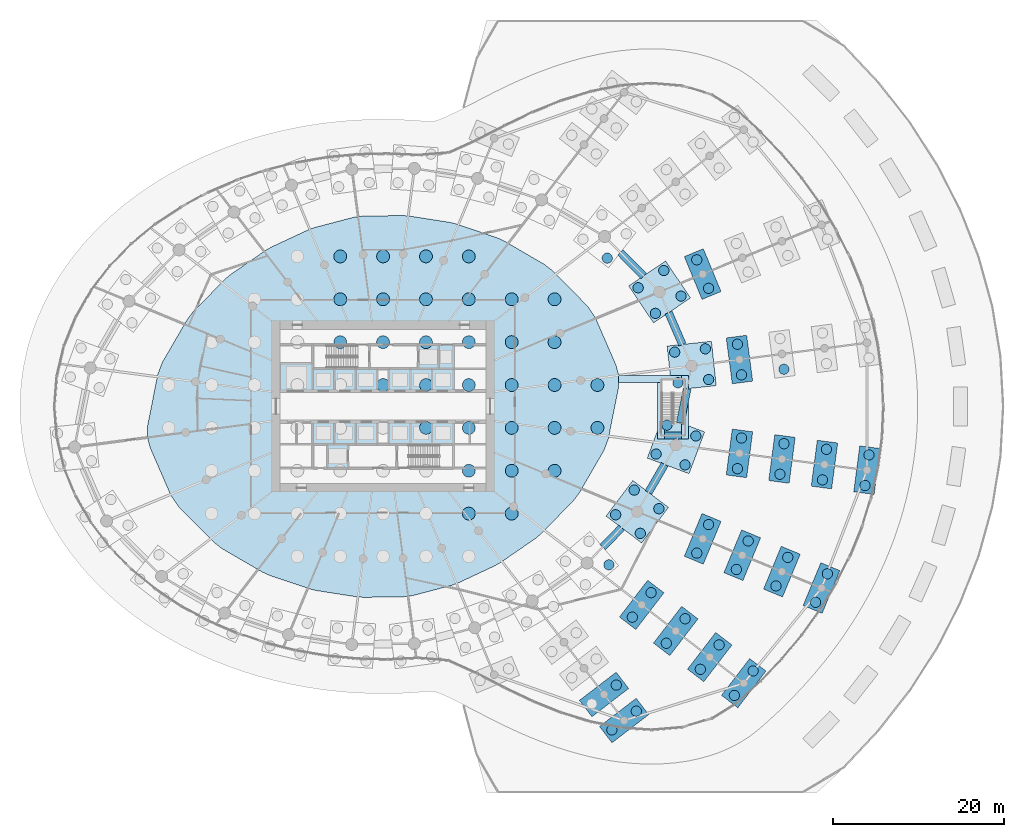
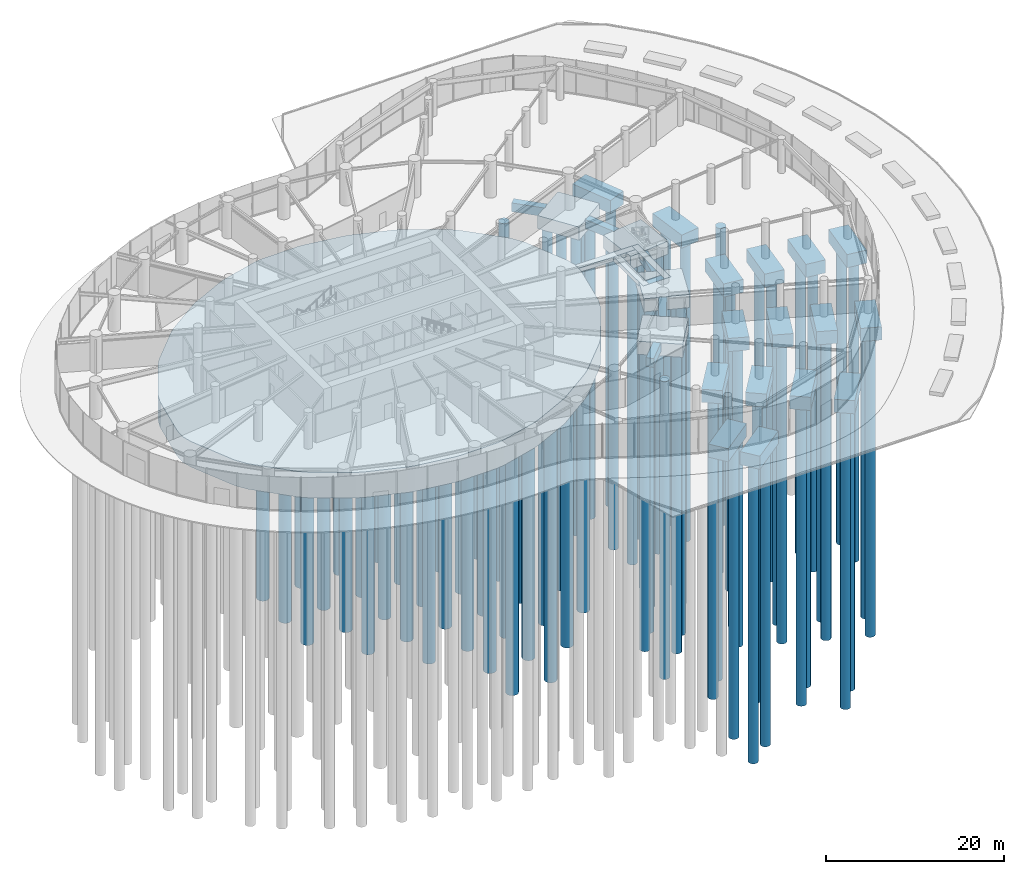
# One storey, part 2 of 28: 82 piles, 30 footings.
"""IFC4 building model written with IfcOpenShell, lengths in metres."""

from ifc_helpers import new_model, si_unit, direction, frame, origin, origin_2d, place, context, subcontext, project, spatial, line, indexed_curve, rectangle, circle, outline, extrude, source, transform, mapped, material, layer, layer_set, material_profile, profile_set, type_object, element, save


model = new_model("IFC4")

# Units and contexts
model_context = context("Model", 3, precision=1e-05, world=origin(), true_north=direction((0.0, 1.0)))
body_context = subcontext(model_context, "Body", "Model", "MODEL_VIEW")
ifc_project = project(units=[si_unit("LENGTHUNIT", "METRE"), si_unit("AREAUNIT", "SQUARE_METRE"), si_unit("VOLUMEUNIT", "CUBIC_METRE"), si_unit("PLANEANGLEUNIT", "RADIAN"), si_unit("MASSUNIT", "GRAM", prefix="KILO")], contexts=[model_context])

# Site, building, storey
site_placement = place(None, origin())
site = spatial("IfcSite", under=ifc_project, at=site_placement, CompositionType="ELEMENT")
building_placement = place(site_placement, origin())
building = spatial("IfcBuilding", under=site, at=building_placement, Name="Spindrift Exchange Tower", CompositionType="ELEMENT")
storey_placement = place(building_placement, origin())
storey = spatial("IfcBuildingStorey", under=building, at=storey_placement, Name="L00", CompositionType="ELEMENT", Elevation=0.0)

# Footings
ifc_material_1 = material(Name="Concrete 50 MPa", Category="concrete")
ifc_layer_1 = layer(ifc_material_1, 1.800048828125)
ifc_layer_set_1 = layer_set([ifc_layer_1], Name="Cascade Pile Cap Concrete 50 MPa")
footing_type_1 = type_object("IfcFootingType", Name="Cascade Pile Cap Concrete 50 MPa", PredefinedType="PILE_CAP", material=ifc_layer_set_1)
footing_1_placement = place(storey_placement, frame((0.0, 0.0, -2.14990234375)))
element("IfcFooting", 1, at=footing_1_placement, inside=storey, type_object=footing_type_1, Name="Pile cap G0-21", PredefinedType="PILE_CAP", context=body_context, shape_type="SweptSolid", body=[
    extrude(outline(indexed_curve([(77.2373046875, 10.67578125), (81.521484375, 13.962890625), (82.982421875, 12.05859375), (78.6982421875, 8.771484375)], segments=[line(1, 2, 3, 4, 1)], self_intersect=False)), origin(), (0.0, 0.0, 1.0), 1.7998046875),
])
footing_2_placement = place(storey_placement, frame((0.0, 0.0, -2.14990234375)))
element("IfcFooting", 2, at=footing_2_placement, inside=storey, type_object=footing_type_1, Name="Pile cap G0-22", PredefinedType="PILE_CAP", context=body_context, shape_type="SweptSolid", body=[
    extrude(outline(indexed_curve([(91.46875, 14.3115234375), (94.755859375, 18.595703125), (96.66015625, 17.134765625), (93.373046875, 12.8505859375)], segments=[line(1, 2, 3, 4, 1)], self_intersect=False)), origin(), (0.0, 0.0, 1.0), 1.7998046875),
])
footing_3_placement = place(storey_placement, frame((0.0, 0.0, -2.14990234375)))
element("IfcFooting", 3, at=footing_3_placement, inside=storey, type_object=footing_type_1, Name="Pile cap G0-23", PredefinedType="PILE_CAP", context=body_context, shape_type="SweptSolid", body=[
    extrude(outline(indexed_curve([(100.990234375, 24.78515625), (103.056640625, 29.7744140625), (105.2744140625, 28.85546875), (103.2080078125, 23.8662109375)], segments=[line(1, 2, 3, 4, 1)], self_intersect=False)), origin(), (0.0, 0.0, 1.0), 1.7998046875),
])
footing_4_placement = place(storey_placement, frame((0.0, 0.0, -2.14990234375)))
element("IfcFooting", 4, at=footing_4_placement, inside=storey, type_object=footing_type_1, Name="Pile cap G0-24", PredefinedType="PILE_CAP", context=body_context, shape_type="SweptSolid", body=[
    extrude(outline(indexed_curve([(106.89453125, 38.0498046875), (107.5986328125, 43.4033203125), (109.978515625, 43.08984375), (109.2734375, 37.736328125)], segments=[line(1, 2, 3, 4, 1)], self_intersect=False)), origin(), (0.0, 0.0, 1.0), 1.7998046875),
])
footing_5_placement = place(storey_placement, frame((0.0, 0.0, -2.14990234375)))
element("IfcFooting", 5, at=footing_5_placement, inside=storey, type_object=footing_type_1, Name="Pile cap G1-21", PredefinedType="PILE_CAP", context=body_context, shape_type="SweptSolid", body=[
    extrude(outline(indexed_curve([(74.900390625, 13.720703125), (79.1845703125, 17.0078125), (80.6455078125, 15.103515625), (76.361328125, 11.81640625)], segments=[line(1, 2, 3, 4, 1)], self_intersect=False)), origin(), (0.0, 0.0, 1.0), 1.7998046875),
])
footing_6_placement = place(storey_placement, frame((0.0, 0.0, -2.14990234375)))
element("IfcFooting", 6, at=footing_6_placement, inside=storey, type_object=footing_type_1, Name="Pile cap G1-22", PredefinedType="PILE_CAP", context=body_context, shape_type="SweptSolid", body=[
    extrude(outline(indexed_curve([(87.501953125, 17.35546875), (90.7890625, 21.638671875), (92.693359375, 20.177734375), (89.40625, 15.8935546875)], segments=[line(1, 2, 3, 4, 1)], self_intersect=False)), origin(), (0.0, 0.0, 1.0), 1.7998046875),
])
footing_7_placement = place(storey_placement, frame((0.0, 0.0, -2.14990234375)))
element("IfcFooting", 7, at=footing_7_placement, inside=storey, type_object=footing_type_1, Name="Pile cap G1-23", PredefinedType="PILE_CAP", context=body_context, shape_type="SweptSolid", body=[
    extrude(outline(indexed_curve([(96.37109375, 26.6982421875), (98.4375, 31.6875), (100.6552734375, 30.7685546875), (98.5888671875, 25.7802734375)], segments=[line(1, 2, 3, 4, 1)], self_intersect=False)), origin(), (0.0, 0.0, 1.0), 1.7998046875),
])
footing_8_placement = place(storey_placement, frame((0.0, 0.0, -2.14990234375)))
element("IfcFooting", 8, at=footing_8_placement, inside=storey, type_object=footing_type_1, Name="Pile cap G1-24", PredefinedType="PILE_CAP", context=body_context, shape_type="SweptSolid", body=[
    extrude(outline(indexed_curve([(101.9375, 38.7021484375), (102.642578125, 44.0556640625), (105.021484375, 43.7431640625), (104.31640625, 38.388671875)], segments=[line(1, 2, 3, 4, 1)], self_intersect=False)), origin(), (0.0, 0.0, 1.0), 1.7998046875),
])
footing_9_placement = place(storey_placement, frame((0.0, 0.0, -2.14990234375)))
element("IfcFooting", 9, at=footing_9_placement, inside=storey, type_object=footing_type_1, Name="Pile cap G2-22", PredefinedType="PILE_CAP", context=body_context, shape_type="SweptSolid", body=[
    extrude(outline(indexed_curve([(83.53515625, 20.3984375), (86.8232421875, 24.6826171875), (88.7265625, 23.2216796875), (85.439453125, 18.9375)], segments=[line(1, 2, 3, 4, 1)], self_intersect=False)), origin(), (0.0, 0.0, 1.0), 1.7998046875),
])
footing_10_placement = place(storey_placement, frame((0.0, 0.0, -2.14990234375)))
element("IfcFooting", 10, at=footing_10_placement, inside=storey, type_object=footing_type_1, Name="Pile cap G2-23", PredefinedType="PILE_CAP", context=body_context, shape_type="SweptSolid", body=[
    extrude(outline(indexed_curve([(91.751953125, 28.611328125), (93.818359375, 33.6005859375), (96.0361328125, 32.6826171875), (93.9697265625, 27.693359375)], segments=[line(1, 2, 3, 4, 1)], self_intersect=False)), origin(), (0.0, 0.0, 1.0), 1.7998046875),
])
footing_11_placement = place(storey_placement, frame((0.0, 0.0, -2.14990234375)))
element("IfcFooting", 11, at=footing_11_placement, inside=storey, type_object=footing_type_1, Name="Pile cap G2-24", PredefinedType="PILE_CAP", context=body_context, shape_type="SweptSolid", body=[
    extrude(outline(indexed_curve([(96.98046875, 39.3544921875), (97.685546875, 44.708984375), (100.064453125, 44.3955078125), (99.359375, 39.0419921875)], segments=[line(1, 2, 3, 4, 1)], self_intersect=False)), origin(), (0.0, 0.0, 1.0), 1.7998046875),
])
footing_12_placement = place(storey_placement, frame((0.0, 0.0, -2.14990234375)))
element("IfcFooting", 12, at=footing_12_placement, inside=storey, type_object=footing_type_1, Name="Pile cap G3-01", PredefinedType="PILE_CAP", context=body_context, shape_type="SweptSolid", body=[
    extrude(outline(indexed_curve([(92.7275390625, 50.638671875), (92.0234375, 55.9921875), (94.40234375, 56.3056640625), (95.107421875, 50.9521484375)], segments=[line(1, 2, 3, 4, 1)], self_intersect=False)), origin(), (0.0, 0.0, 1.0), 1.7998046875),
])
footing_13_placement = place(storey_placement, frame((0.0, 0.0, -2.14990234375)))
element("IfcFooting", 13, at=footing_13_placement, inside=storey, type_object=footing_type_1, Name="Pile cap G3-02", PredefinedType="PILE_CAP", context=body_context, shape_type="SweptSolid", body=[
    extrude(outline(indexed_curve([(89.19921875, 60.486328125), (87.1328125, 65.474609375), (89.3505859375, 66.3935546875), (91.4169921875, 61.404296875)], segments=[line(1, 2, 3, 4, 1)], self_intersect=False)), origin(), (0.0, 0.0, 1.0), 1.7998046875),
])
footing_14_placement = place(storey_placement, frame((0.0, 0.0, -2.14990234375)))
element("IfcFooting", 14, at=footing_14_placement, inside=storey, type_object=footing_type_1, Name="Pile cap G3-22", PredefinedType="PILE_CAP", context=body_context, shape_type="SweptSolid", body=[
    extrude(outline(indexed_curve([(79.5693359375, 23.4423828125), (82.8564453125, 27.7265625), (84.7607421875, 26.265625), (81.47265625, 21.9814453125)], segments=[line(1, 2, 3, 4, 1)], self_intersect=False)), origin(), (0.0, 0.0, 1.0), 1.7998046875),
])
footing_15_placement = place(storey_placement, frame((0.0, 0.0, -2.14990234375)))
element("IfcFooting", 15, at=footing_15_placement, inside=storey, type_object=footing_type_1, Name="Pile cap G3-23", PredefinedType="PILE_CAP", context=body_context, shape_type="SweptSolid", body=[
    extrude(outline(indexed_curve([(87.1328125, 30.525390625), (89.19921875, 35.513671875), (91.4169921875, 34.595703125), (89.3505859375, 29.6064453125)], segments=[line(1, 2, 3, 4, 1)], self_intersect=False)), origin(), (0.0, 0.0, 1.0), 1.7998046875),
])
footing_16_placement = place(storey_placement, frame((0.0, 0.0, -2.14990234375)))
element("IfcFooting", 16, at=footing_16_placement, inside=storey, type_object=footing_type_1, Name="Pile cap G3-24", PredefinedType="PILE_CAP", context=body_context, shape_type="SweptSolid", body=[
    extrude(outline(indexed_curve([(92.0234375, 40.0078125), (92.7275390625, 45.361328125), (95.107421875, 45.0478515625), (94.40234375, 39.6943359375)], segments=[line(1, 2, 3, 4, 1)], self_intersect=False)), origin(), (0.0, 0.0, 1.0), 1.7998046875),
])
ifc_layer_2 = layer(ifc_material_1, 1.800048828125)
ifc_layer_set_2 = layer_set([ifc_layer_2], Name="Pile Cap Concrete 50 MPa")
footing_type_2 = type_object("IfcFootingType", Name="Pile Cap Concrete 50 MPa", PredefinedType="PILE_CAP", material=ifc_layer_set_2)
footing_17_placement = place(storey_placement, frame((0.0, 0.0, -2.14990234375)))
element("IfcFooting", 17, at=footing_17_placement, inside=storey, type_object=footing_type_2, Name="Pile cap P1-01", PredefinedType="PILE_CAP", context=body_context, shape_type="SweptSolid", body=[
    extrude(outline(indexed_curve([(90.8525390625, 50.4296875), (90.298828125, 55.6005859375), (85.1279296875, 55.046875), (85.681640625, 49.8759765625)], segments=[line(1, 2, 3, 4, 1)], self_intersect=False)), origin(), (0.0, 0.0, 1.0), 1.7998046875),
])
footing_18_placement = place(storey_placement, frame((0.0, 0.0, -2.14990234375)))
element("IfcFooting", 18, at=footing_18_placement, inside=storey, type_object=footing_type_2, Name="Pile cap P1-02", PredefinedType="PILE_CAP", context=body_context, shape_type="SweptSolid", body=[
    extrude(outline(indexed_curve([(87.857421875, 60.65234375), (84.9541015625, 64.966796875), (80.640625, 62.0634765625), (83.5439453125, 57.7490234375)], segments=[line(1, 2, 3, 4, 1)], self_intersect=False)), origin(), (0.0, 0.0, 1.0), 1.7998046875),
])
footing_19_placement = place(storey_placement, frame((0.0, 0.0, -2.14990234375)))
element("IfcFooting", 19, at=footing_19_placement, inside=storey, type_object=footing_type_2, Name="Pile cap P1-23", PredefinedType="PILE_CAP", context=body_context, shape_type="SweptSolid", body=[
    extrude(outline(indexed_curve([(82.158203125, 32.080078125), (85.28515625, 36.234375), (81.130859375, 39.361328125), (78.00390625, 35.20703125)], segments=[line(1, 2, 3, 4, 1)], self_intersect=False)), origin(), (0.0, 0.0, 1.0), 1.7998046875),
])
footing_20_placement = place(storey_placement, frame((0.0, 0.0, -2.14990234375)))
element("IfcFooting", 20, at=footing_20_placement, inside=storey, type_object=footing_type_2, Name="Pile cap P1-24", PredefinedType="PILE_CAP", context=body_context, shape_type="SweptSolid", body=[
    extrude(outline(indexed_curve([(87.6884765625, 40.158203125), (89.505859375, 45.0302734375), (84.6337890625, 46.84765625), (82.81640625, 41.974609375)], segments=[line(1, 2, 3, 4, 1)], self_intersect=False)), origin(), (0.0, 0.0, 1.0), 1.7998046875),
])
ifc_layer_3 = layer(ifc_material_1, 3.5)
ifc_layer_set_3 = layer_set([ifc_layer_3], Name="Piled Raft Concrete 50 MPa")
footing_type_3 = type_object("IfcFootingType", Name="Piled Raft Concrete 50 MPa", PredefinedType="USERDEFINED", material=ifc_layer_set_3)
footing_21_placement = place(storey_placement, frame((0.0, 0.0, -3.85009765625)))
element("IfcFooting", 21, at=footing_21_placement, inside=storey, type_object=footing_type_3, Name="Piled raft under the core", ObjectType="PILED RAFT", PredefinedType="USERDEFINED", context=body_context, shape_type="SweptSolid", body=[
    extrude(outline(indexed_curve([(79.4482421875, 50.158203125), (78.27734375, 44.2470703125), (77.7548828125, 42.86328125), (74.8642578125, 37.8828125), (74.19140625, 36.9970703125), (70.4521484375, 33.16796875), (69.7841796875, 32.60546875), (65.685546875, 29.783203125), (65.0400390625, 29.4140625), (60.748046875, 27.40625), (59.9853515625, 27.1298828125), (55.474609375, 25.9443359375), (54.392578125, 25.796875), (49.72265625, 25.7333984375), (48.966796875, 25.7861328125), (44.2509765625, 26.5224609375), (43.5107421875, 26.703125), (38.73046875, 28.310546875), (37.900390625, 28.6875), (33.201171875, 31.423828125), (32.2705078125, 32.1435546875), (28.166015625, 36.2822265625), (27.232421875, 37.6591796875), (24.837890625, 43.17578125), (24.4921875, 44.4873046875), (24.5517578125, 45.841796875), (25.72265625, 51.7529296875), (26.2451171875, 53.13671875), (29.1357421875, 58.1171875), (29.80859375, 59.0029296875), (33.5478515625, 62.83203125), (34.2158203125, 63.39453125), (38.314453125, 66.216796875), (38.9599609375, 66.5859375), (43.251953125, 68.59375), (44.0146484375, 68.8701171875), (48.525390625, 70.0556640625), (49.607421875, 70.203125), (54.27734375, 70.2666015625), (55.033203125, 70.2138671875), (59.7490234375, 69.4775390625), (60.4892578125, 69.296875), (65.26953125, 67.689453125), (66.099609375, 67.3125), (70.798828125, 64.576171875), (71.7294921875, 63.8564453125), (75.833984375, 59.7177734375), (76.767578125, 58.3408203125), (79.162109375, 52.82421875), (79.5078125, 51.5126953125)], segments=[line(1, 2, 3, 4, 5, 6, 7, 8, 9, 10, 11, 12, 13, 14, 15, 16, 17, 18, 19, 20, 21, 22, 23, 24, 25, 26, 27, 28, 29, 30, 31, 32, 33, 34, 35, 36, 37, 38, 39, 40, 41, 42, 43, 44, 45, 46, 47, 48, 49, 50, 1)], self_intersect=False)), origin(), (0.0, 0.0, 1.0), 3.5),
])

# Piles
ifc_material_2 = material(Name="Concrete 40 MPa", Category="concrete")
ifc_material_profile_1 = material_profile(ifc_material_2, circle(Radius=0.75, at=origin_2d()), Name="BP D1500")
ifc_profile_set_1 = profile_set([ifc_material_profile_1], Name="Concrete 40 MPa")
pile_type_1 = type_object("IfcPileType", Name="Bored Pile D1500 Concrete 40 MPa", PredefinedType="BORED", material=ifc_profile_set_1)
shared_shape_1 = source(origin(), body_context, "Body", "SweptSolid", [
    extrude(circle(Radius=0.75, at=origin_2d()), origin(), (0.0, 0.0, 1.0), 39.14990234375),
])
for number, where, z_axis, x_axis, name in (
    (22, (47.0, 55.5, -3.85009765625), (0.0, 0.0, -1.0), (1.0, 0.0, 0.0), "Bored pile R027"),
    (23, (47.0, 60.5, -3.85009765625), (0.0, 0.0, -1.0), (1.0, 0.0, 0.0), "Bored pile R028"),
    (24, (47.0, 65.5, -3.85009765625), (0.0, 0.0, -1.0), (1.0, 0.0, 0.0), "Bored pile R029"),
    (25, (52.0, 50.5, -3.85009765625), (0.0, 0.0, -1.0), (1.0, 0.0, 0.0), "Bored pile R034"),
    (26, (52.0, 55.5, -3.85009765625), (0.0, 0.0, -1.0), (1.0, 0.0, 0.0), "Bored pile R035"),
    (27, (52.0, 60.5, -3.85009765625), (0.0, 0.0, -1.0), (1.0, 0.0, 0.0), "Bored pile R036"),
    (28, (52.0, 65.5, -3.85009765625), (0.0, 0.0, -1.0), (1.0, 0.0, 0.0), "Bored pile R037"),
    (29, (57.0, 45.5, -3.85009765625), (0.0, 0.0, -1.0), (1.0, 0.0, 0.0), "Bored pile R041"),
    (30, (57.0, 50.5, -3.85009765625), (0.0, 0.0, -1.0), (1.0, 0.0, 0.0), "Bored pile R042"),
    (31, (57.0, 55.5, -3.85009765625), (0.0, 0.0, -1.0), (1.0, 0.0, 0.0), "Bored pile R043"),
    (32, (57.0, 60.5, -3.85009765625), (0.0, 0.0, -1.0), (1.0, 0.0, 0.0), "Bored pile R044"),
    (33, (57.0, 65.5, -3.85009765625), (0.0, 0.0, -1.0), (1.0, 0.0, 0.0), "Bored pile R045"),
    (34, (62.0, 35.5, -3.85009765625), (0.0, 0.0, -1.0), (1.0, 0.0, 0.0), "Bored pile R047"),
    (35, (62.0, 40.5, -3.85009765625), (0.0, 0.0, -1.0), (1.0, 0.0, 0.0), "Bored pile R048"),
    (36, (62.0, 45.5, -3.85009765625), (0.0, 0.0, -1.0), (1.0, 0.0, 0.0), "Bored pile R049"),
    (37, (62.0, 50.5, -3.85009765625), (0.0, 0.0, -1.0), (1.0, 0.0, 0.0), "Bored pile R050"),
    (38, (62.0, 55.5, -3.85009765625), (0.0, 0.0, -1.0), (1.0, 0.0, 0.0), "Bored pile R051"),
    (39, (62.0, 60.5, -3.85009765625), (0.0, 0.0, -1.0), (1.0, 0.0, 0.0), "Bored pile R052"),
    (40, (62.0, 65.5, -3.85009765625), (0.0, 0.0, -1.0), (1.0, 0.0, 0.0), "Bored pile R053"),
    (41, (67.0, 35.5, -3.85009765625), (0.0, 0.0, -1.0), (1.0, 0.0, 0.0), "Bored pile R054"),
    (42, (67.0, 40.5, -3.85009765625), (0.0, 0.0, -1.0), (1.0, 0.0, 0.0), "Bored pile R055"),
    (43, (67.0, 45.5, -3.85009765625), (0.0, 0.0, -1.0), (1.0, 0.0, 0.0), "Bored pile R056"),
    (44, (67.0, 50.5, -3.85009765625), (0.0, 0.0, -1.0), (1.0, 0.0, 0.0), "Bored pile R057"),
    (45, (67.0, 55.5, -3.85009765625), (0.0, 0.0, -1.0), (1.0, 0.0, 0.0), "Bored pile R058"),
    (46, (67.0, 60.5, -3.85009765625), (0.0, 0.0, -1.0), (1.0, 0.0, 0.0), "Bored pile R059"),
    (47, (72.0, 40.5, -3.85009765625), (0.0, 0.0, -1.0), (1.0, 0.0, 0.0), "Bored pile R060"),
    (48, (72.0, 45.5, -3.85009765625), (0.0, 0.0, -1.0), (1.0, 0.0, 0.0), "Bored pile R061"),
    (49, (72.0, 50.5, -3.85009765625), (0.0, 0.0, -1.0), (1.0, 0.0, 0.0), "Bored pile R062"),
    (50, (72.0, 55.5, -3.85009765625), (0.0, 0.0, -1.0), (1.0, 0.0, 0.0), "Bored pile R063"),
    (51, (72.0, 60.5, -3.85009765625), (0.0, 0.0, -1.0), (1.0, 0.0, 0.0), "Bored pile R064"),
    (52, (77.0, 45.5, -3.85009765625), (0.0, 0.0, -1.0), (1.0, 0.0, 0.0), "Bored pile R065"),
    (53, (77.0, 50.5, -3.85009765625), (0.0, 0.0, -1.0), (1.0, 0.0, 0.0), "Bored pile R066"),
):
    element("IfcPile", number, at=place(storey_placement, frame(where, z_axis=z_axis, x_axis=x_axis)), inside=storey, type_object=pile_type_1, Name=name, PredefinedType="BORED", context=body_context, shape_type="MappedRepresentation", body=[
        mapped(shared_shape_1, transform((0.0, 0.0, 0.0), scale=1.0)),
    ])
ifc_material_profile_2 = material_profile(ifc_material_2, circle(Radius=0.60009765625, at=origin_2d()), Name="BP D1200")
ifc_profile_set_2 = profile_set([ifc_material_profile_2], Name="Concrete 40 MPa")
pile_type_2 = type_object("IfcPileType", Name="Bored Pile D1200 Concrete 40 MPa", PredefinedType="BORED", material=ifc_profile_set_2)
shared_shape_2 = source(origin(), body_context, "Body", "SweptSolid", [
    extrude(circle(Radius=0.60009765625, at=origin_2d()), origin(), (0.0, 0.0, 1.0), 40.85009765625),
])
for number, where, z_axis, x_axis, name in (
    (54, (89.9716796875, 51.14013671875, -2.14990234375), (0.0, 0.0, -1.0), (1.0, 0.0, 0.0), "Bored pile P1-01-1"),
    (55, (89.58837890625, 54.719482421875, -2.14990234375), (0.0, 0.0, -1.0), (1.0, 0.0, 0.0), "Bored pile P1-01-2"),
    (56, (86.009033203125, 54.336181640625, -2.14990234375), (0.0, 0.0, -1.0), (1.0, 0.0, 0.0), "Bored pile P1-01-3"),
    (57, (86.392333984375, 50.7568359375, -2.14990234375), (0.0, 0.0, -1.0), (1.0, 0.0, 0.0), "Bored pile P1-01-4"),
    (58, (86.747314453125, 60.869873046875, -2.14990234375), (0.0, 0.0, -1.0), (1.0, 0.0, 0.0), "Bored pile P1-02-1"),
    (59, (84.737060546875, 63.856201171875, -2.14990234375), (0.0, 0.0, -1.0), (1.0, 0.0, 0.0), "Bored pile P1-02-2"),
    (60, (81.75048828125, 61.845947265625, -2.14990234375), (0.0, 0.0, -1.0), (1.0, 0.0, 0.0), "Bored pile P1-02-3"),
    (61, (83.7607421875, 58.859619140625, -2.14990234375), (0.0, 0.0, -1.0), (1.0, 0.0, 0.0), "Bored pile P1-02-4"),
    (62, (78.146484375, 65.2978515625, -2.14990234375), (0.0, 0.0, -1.0), (1.0, 0.0, 0.0), "Bored pile P1-03-4"),
    (63, (78.337646484375, 29.529296875, -2.14990234375), (0.0, 0.0, -1.0), (1.0, 0.0, 0.0), "Bored pile P1-22-2"),
    (64, (82.000244140625, 33.2001953125, -2.14990234375), (0.0, 0.0, -1.0), (1.0, 0.0, 0.0), "Bored pile P1-23-1"),
    (65, (84.1650390625, 36.076416015625, -2.14990234375), (0.0, 0.0, -1.0), (1.0, 0.0, 0.0), "Bored pile P1-23-2"),
    (66, (81.288818359375, 38.241455078125, -2.14990234375), (0.0, 0.0, -1.0), (1.0, 0.0, 0.0), "Bored pile P1-23-3"),
    (67, (79.123779296875, 35.364990234375, -2.14990234375), (0.0, 0.0, -1.0), (1.0, 0.0, 0.0), "Bored pile P1-23-4"),
    (68, (87.21875, 41.18701171875, -2.14990234375), (0.0, 0.0, -1.0), (1.0, 0.0, 0.0), "Bored pile P1-24-1"),
    (69, (88.476806640625, 44.560302734375, -2.14990234375), (0.0, 0.0, -1.0), (1.0, 0.0, 0.0), "Bored pile P1-24-2"),
    (70, (85.103515625, 45.818115234375, -2.14990234375), (0.0, 0.0, -1.0), (1.0, 0.0, 0.0), "Bored pile P1-24-3"),
    (71, (83.845703125, 42.445068359375, -2.14990234375), (0.0, 0.0, -1.0), (1.0, 0.0, 0.0), "Bored pile P1-24-4"),
    (72, (78.681640625, 10.27099609375, -2.14990234375), (0.0, 0.0, -1.0), (1.0, 0.0, 0.0), "Bored pile G0-21-1"),
    (73, (81.53759765625, 12.462646484375, -2.14990234375), (0.0, 0.0, -1.0), (1.0, 0.0, 0.0), "Bored pile G0-21-2"),
    (74, (92.96875, 14.294921875, -2.14990234375), (0.0, 0.0, -1.0), (1.0, 0.0, 0.0), "Bored pile G0-22-1"),
    (75, (95.160400390625, 17.15087890625, -2.14990234375), (0.0, 0.0, -1.0), (1.0, 0.0, 0.0), "Bored pile G0-22-2"),
    (76, (102.443603515625, 25.1572265625, -2.14990234375), (0.0, 0.0, -1.0), (1.0, 0.0, 0.0), "Bored pile G0-23-1"),
    (77, (103.821044921875, 28.4833984375, -2.14990234375), (0.0, 0.0, -1.0), (1.0, 0.0, 0.0), "Bored pile G0-23-2"),
    (78, (108.201416015625, 38.785400390625, -2.14990234375), (0.0, 0.0, -1.0), (1.0, 0.0, 0.0), "Bored pile G0-24-1"),
    (79, (108.67138671875, 42.3544921875, -2.14990234375), (0.0, 0.0, -1.0), (1.0, 0.0, 0.0), "Bored pile G0-24-2"),
    (80, (79.200927734375, 15.5078125, -2.14990234375), (0.0, 0.0, -1.0), (1.0, 0.0, 0.0), "Bored pile G1-21-2"),
    (81, (89.002197265625, 17.33837890625, -2.14990234375), (0.0, 0.0, -1.0), (1.0, 0.0, 0.0), "Bored pile G1-22-1"),
    (82, (91.193603515625, 20.194580078125, -2.14990234375), (0.0, 0.0, -1.0), (1.0, 0.0, 0.0), "Bored pile G1-22-2"),
    (83, (97.82421875, 27.070556640625, -2.14990234375), (0.0, 0.0, -1.0), (1.0, 0.0, 0.0), "Bored pile G1-23-1"),
    (84, (99.201904296875, 30.396484375, -2.14990234375), (0.0, 0.0, -1.0), (1.0, 0.0, 0.0), "Bored pile G1-23-2"),
    (85, (103.244384765625, 39.43798828125, -2.14990234375), (0.0, 0.0, -1.0), (1.0, 0.0, 0.0), "Bored pile G1-24-1"),
    (86, (103.71435546875, 43.007080078125, -2.14990234375), (0.0, 0.0, -1.0), (1.0, 0.0, 0.0), "Bored pile G1-24-2"),
    (87, (98.75732421875, 52.340087890625, -2.14990234375), (0.0, 0.0, -1.0), (1.0, 0.0, 0.0), "Bored pile G2-01-1"),
    (88, (85.035400390625, 20.382080078125, -2.14990234375), (0.0, 0.0, -1.0), (1.0, 0.0, 0.0), "Bored pile G2-22-1"),
    (89, (87.22705078125, 23.23828125, -2.14990234375), (0.0, 0.0, -1.0), (1.0, 0.0, 0.0), "Bored pile G2-22-2"),
    (90, (93.205078125, 28.98388671875, -2.14990234375), (0.0, 0.0, -1.0), (1.0, 0.0, 0.0), "Bored pile G2-23-1"),
    (91, (94.582763671875, 32.31005859375, -2.14990234375), (0.0, 0.0, -1.0), (1.0, 0.0, 0.0), "Bored pile G2-23-2"),
    (92, (98.28759765625, 40.090576171875, -2.14990234375), (0.0, 0.0, -1.0), (1.0, 0.0, 0.0), "Bored pile G2-24-1"),
    (93, (98.75732421875, 43.659912109375, -2.14990234375), (0.0, 0.0, -1.0), (1.0, 0.0, 0.0), "Bored pile G2-24-2"),
    (94, (93.80029296875, 51.6875, -2.14990234375), (0.0, 0.0, -1.0), (1.0, 0.0, 0.0), "Bored pile G3-01-1"),
    (95, (93.330322265625, 55.2568359375, -2.14990234375), (0.0, 0.0, -1.0), (1.0, 0.0, 0.0), "Bored pile G3-01-2"),
    (96, (89.96337890625, 61.776611328125, -2.14990234375), (0.0, 0.0, -1.0), (1.0, 0.0, 0.0), "Bored pile G3-02-1"),
    (97, (88.5859375, 65.102783203125, -2.14990234375), (0.0, 0.0, -1.0), (1.0, 0.0, 0.0), "Bored pile G3-02-2"),
    (98, (81.06884765625, 23.42578125, -2.14990234375), (0.0, 0.0, -1.0), (1.0, 0.0, 0.0), "Bored pile G3-22-1"),
    (99, (83.260498046875, 26.281982421875, -2.14990234375), (0.0, 0.0, -1.0), (1.0, 0.0, 0.0), "Bored pile G3-22-2"),
    (100, (88.5859375, 30.897216796875, -2.14990234375), (0.0, 0.0, -1.0), (1.0, 0.0, 0.0), "Bored pile G3-23-1"),
    (101, (89.96337890625, 34.223388671875, -2.14990234375), (0.0, 0.0, -1.0), (1.0, 0.0, 0.0), "Bored pile G3-23-2"),
    (102, (93.330322265625, 40.7431640625, -2.14990234375), (0.0, 0.0, -1.0), (1.0, 0.0, 0.0), "Bored pile G3-24-1"),
    (103, (93.80029296875, 44.3125, -2.14990234375), (0.0, 0.0, -1.0), (1.0, 0.0, 0.0), "Bored pile G3-24-2"),
):
    element("IfcPile", number, at=place(storey_placement, frame(where, z_axis=z_axis, x_axis=x_axis)), inside=storey, type_object=pile_type_2, Name=name, PredefinedType="BORED", context=body_context, shape_type="MappedRepresentation", body=[
        mapped(shared_shape_2, transform((0.0, 0.0, 0.0), scale=1.0)),
    ])

# Footings
ifc_material_profile_3 = material_profile(ifc_material_1, rectangle(XDim=0.89990234375, YDim=1.199951171875, at=origin_2d()), Name="RC 900x1200")
ifc_profile_set_3 = profile_set([ifc_material_profile_3], Name="Concrete 50 MPa")
footing_type_4 = type_object("IfcFootingType", Name="Ground Tie Beam Concrete 50 MPa", PredefinedType="FOOTING_BEAM", material=ifc_profile_set_3)
shared_shape_3 = source(origin(), body_context, "Body", "SweptSolid", [
    extrude(rectangle(XDim=0.89990234375, YDim=1.199951171875, at=origin_2d()), origin(), (0.0, 0.0, 1.0), 4.068603515625),
])
footing_22_placement = place(storey_placement, frame((86.913818359375, 55.218505859375, -0.949951171875), z_axis=(-0.398195059831, 0.917300765467, 0.0), x_axis=(-0.917300765467, -0.398195059831, 0.0)))
element("IfcFooting", 104, at=footing_22_placement, inside=storey, type_object=footing_type_4, Name="Ground tie beam TB01", PredefinedType="FOOTING_BEAM", context=body_context, shape_type="MappedRepresentation", body=[
    mapped(shared_shape_3, transform((0.0, 0.0, 0.0), scale=1.0)),
])
shared_shape_4 = source(origin(), body_context, "Body", "SweptSolid", [
    extrude(rectangle(XDim=0.89990234375, YDim=1.199951171875, at=origin_2d()), origin(), (0.0, 0.0, 1.0), 3.87939453125),
])
footing_23_placement = place(storey_placement, frame((82.39892578125, 63.22314453125, -0.949951171875), z_axis=(-0.704174270527, 0.710027180274, 0.0), x_axis=(-0.710027180274, -0.704174270527, 0.0)))
element("IfcFooting", 105, at=footing_23_placement, inside=storey, type_object=footing_type_4, Name="Ground tie beam TB02", PredefinedType="FOOTING_BEAM", context=body_context, shape_type="MappedRepresentation", body=[
    mapped(shared_shape_4, transform((0.0, 0.0, 0.0), scale=1.0)),
])
shared_shape_5 = source(origin(), body_context, "Body", "SweptSolid", [
    extrude(rectangle(XDim=0.89990234375, YDim=1.199951171875, at=origin_2d()), origin(), (0.0, 0.0, 1.0), 3.171142578125),
])
footing_24_placement = place(storey_placement, frame((77.611083984375, 31.591064453125, -0.949951171875), z_axis=(0.698743188947, 0.71537259935, 0.0), x_axis=(-0.71537259935, 0.698743188947, 0.0)))
element("IfcFooting", 106, at=footing_24_placement, inside=storey, type_object=footing_type_4, Name="Ground tie beam TB22", PredefinedType="FOOTING_BEAM", context=body_context, shape_type="MappedRepresentation", body=[
    mapped(shared_shape_5, transform((0.0, 0.0, 0.0), scale=1.0)),
])
shared_shape_6 = source(origin(), body_context, "Body", "SweptSolid", [
    extrude(rectangle(XDim=0.89990234375, YDim=1.199951171875, at=origin_2d()), origin(), (0.0, 0.0, 1.0), 3.781494140625),
])
footing_25_placement = place(storey_placement, frame((82.948974609375, 37.96826171875, -0.949951171875), z_axis=(0.501975081713, 0.86488208291, 0.0), x_axis=(-0.86488208291, 0.501975081713, 0.0)))
element("IfcFooting", 107, at=footing_25_placement, inside=storey, type_object=footing_type_4, Name="Ground tie beam TB23", PredefinedType="FOOTING_BEAM", context=body_context, shape_type="MappedRepresentation", body=[
    mapped(shared_shape_6, transform((0.0, 0.0, 0.0), scale=1.0)),
])
shared_shape_7 = source(origin(), body_context, "Body", "SweptSolid", [
    extrude(rectangle(XDim=0.89990234375, YDim=1.199951171875, at=origin_2d()), origin(), (0.0, 0.0, 1.0), 4.097412109375),
])
footing_26_placement = place(storey_placement, frame((86.669189453125, 46.06689453125, -0.949951171875), z_axis=(0.194248010046, 0.98095245073, 0.0), x_axis=(-0.98095245073, 0.194248010046, 0.0)))
element("IfcFooting", 108, at=footing_26_placement, inside=storey, type_object=footing_type_4, Name="Ground tie beam TB24", PredefinedType="FOOTING_BEAM", context=body_context, shape_type="MappedRepresentation", body=[
    mapped(shared_shape_7, transform((0.0, 0.0, 0.0), scale=1.0)),
])
ifc_material_profile_4 = material_profile(ifc_material_2, rectangle(XDim=0.800048828125, YDim=0.60009765625, at=origin_2d()), Name="RC 800x600")
ifc_profile_set_4 = profile_set([ifc_material_profile_4], Name="Concrete 40 MPa")
footing_type_5 = type_object("IfcFootingType", Name="Strip Footing 800x600 Concrete 40 MPa", PredefinedType="STRIP_FOOTING", material=ifc_profile_set_4)
shared_shape_8 = source(origin(), body_context, "Body", "SweptSolid", [
    extrude(rectangle(XDim=0.800048828125, YDim=0.60009765625, at=origin_2d()), origin(), (0.0, 0.0, 1.0), 6.60009765625),
])
footing_27_placement = place(storey_placement, frame((84.39990234375, 44.199951171875, -0.64990234375), z_axis=(0.0, 1.0, 0.0), x_axis=(-1.0, 0.0, 0.0)))
element("IfcFooting", 109, at=footing_27_placement, inside=storey, type_object=footing_type_5, Name="Exit stair ST5 strip footing W", PredefinedType="STRIP_FOOTING", context=body_context, shape_type="MappedRepresentation", body=[
    mapped(shared_shape_8, transform((0.0, 0.0, 0.0), scale=1.0)),
])
shared_shape_9 = source(origin(), body_context, "Body", "SweptSolid", [
    extrude(rectangle(XDim=0.800048828125, YDim=0.60009765625, at=origin_2d()), origin(), (0.0, 0.0, 1.0), 7.400146484375),
])
footing_28_placement = place(storey_placement, frame((87.199951171875, 44.199951171875, -0.64990234375), z_axis=(0.0, 1.0, 0.0), x_axis=(-1.0, 0.0, 0.0)))
element("IfcFooting", 110, at=footing_28_placement, inside=storey, type_object=footing_type_5, Name="Exit stair ST5 strip footing E", PredefinedType="STRIP_FOOTING", context=body_context, shape_type="MappedRepresentation", body=[
    mapped(shared_shape_9, transform((0.0, 0.0, 0.0), scale=1.0)),
])
shared_shape_10 = source(origin(), body_context, "Body", "SweptSolid", [
    extrude(rectangle(XDim=0.800048828125, YDim=0.60009765625, at=origin_2d()), origin(), (0.0, 0.0, 1.0), 2.0),
])
footing_29_placement = place(storey_placement, frame((84.800048828125, 44.60009765625, -0.64990234375), z_axis=(1.0, 0.0, 0.0), x_axis=(0.0, 1.0, 0.0)))
element("IfcFooting", 111, at=footing_29_placement, inside=storey, type_object=footing_type_5, Name="Exit stair ST5 strip footing S", PredefinedType="STRIP_FOOTING", context=body_context, shape_type="MappedRepresentation", body=[
    mapped(shared_shape_10, transform((0.0, 0.0, 0.0), scale=1.0)),
])
shared_shape_11 = source(origin(), body_context, "Body", "SweptSolid", [
    extrude(rectangle(XDim=0.800048828125, YDim=0.60009765625, at=origin_2d()), origin(), (0.0, 0.0, 1.0), 7.31494140625),
])
footing_30_placement = place(storey_placement, frame((79.485107421875, 51.199951171875, -0.64990234375), z_axis=(1.0, 0.0, 0.0), x_axis=(0.0, 1.0, 0.0)))
element("IfcFooting", 112, at=footing_30_placement, inside=storey, type_object=footing_type_5, Name="Exit stair ST5 strip footing N", PredefinedType="STRIP_FOOTING", context=body_context, shape_type="MappedRepresentation", body=[
    mapped(shared_shape_11, transform((0.0, 0.0, 0.0), scale=1.0)),
])

save(model, "model.ifc")
